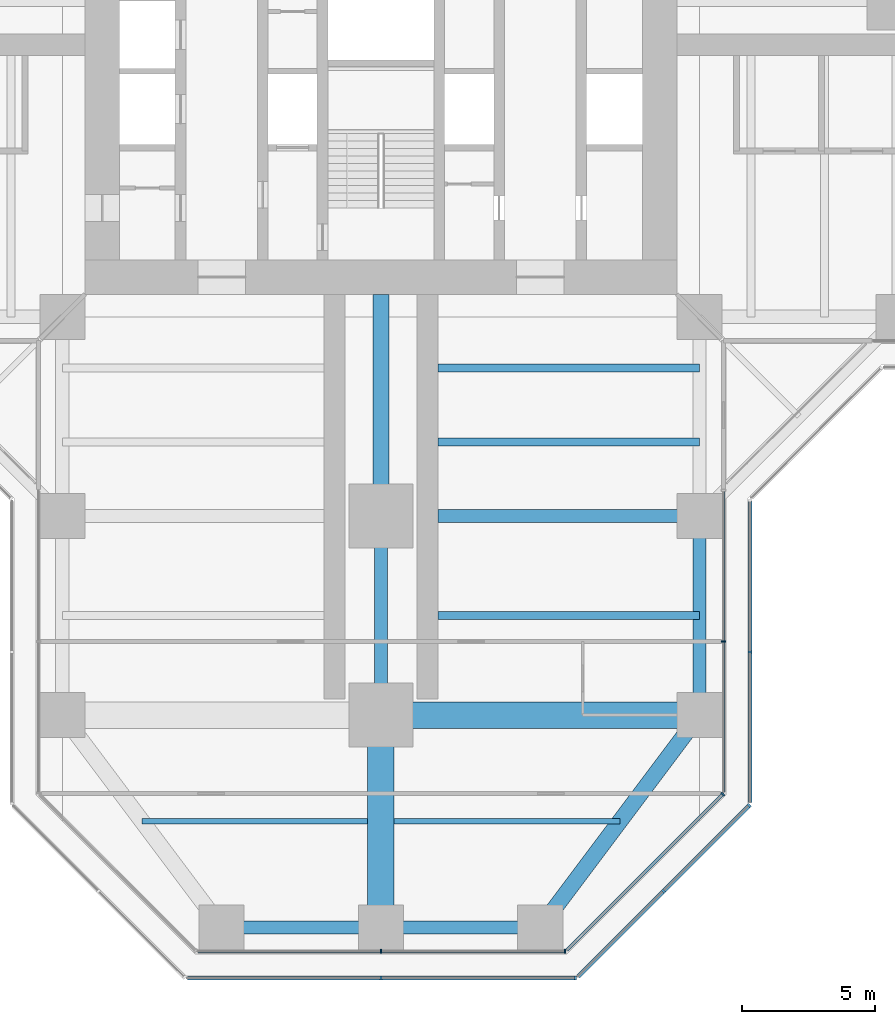
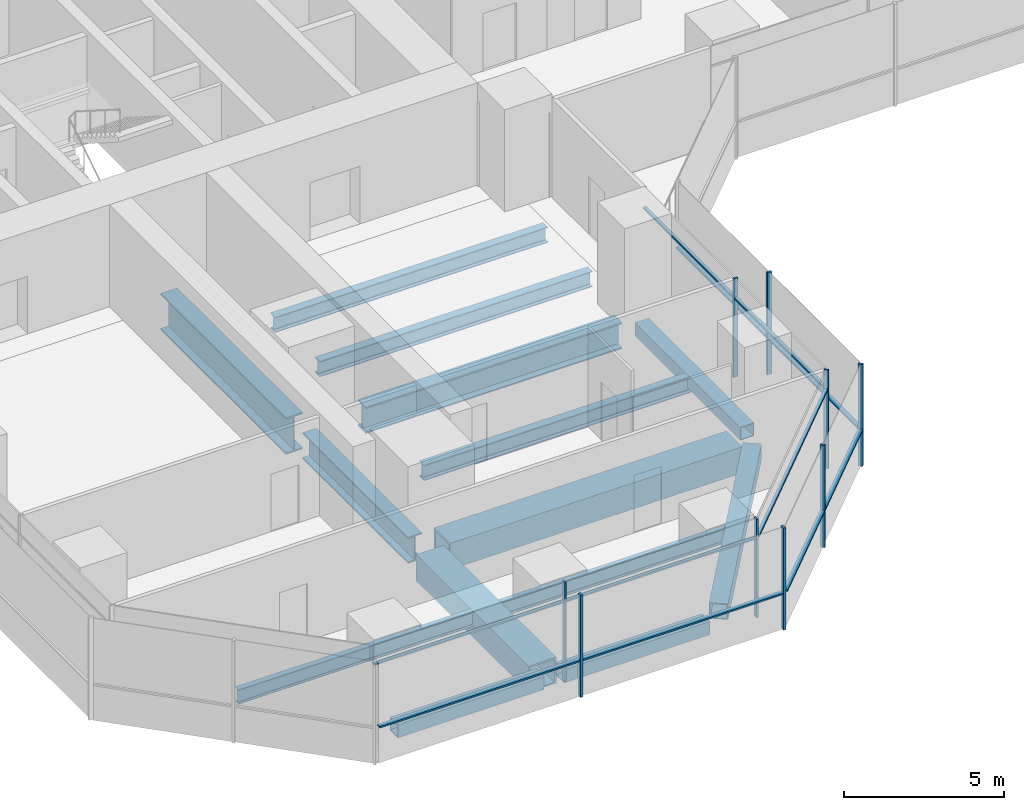
# One storey, part 5 of 22: 20 members, 14 beams, 6 elements without a shape of their own.
"""IFC4 building model written with IfcOpenShell, lengths in metres."""

from ifc_helpers import new_model, si_unit, direction, frame, origin, origin_2d, place, context, subcontext, project, spatial, rectangle, hollow_rectangle, i_section, extrude, material, material_profile, profile_set, type_object, element, aggregate, save


model = new_model("IFC4")

# Units and contexts
model_context = context("Model", 3, precision=1e-05, world=origin(), true_north=direction((0.0, 1.0)))
body_context = subcontext(model_context, "Body", "Model", "MODEL_VIEW")
ifc_project = project(units=[si_unit("LENGTHUNIT", "METRE"), si_unit("AREAUNIT", "SQUARE_METRE"), si_unit("VOLUMEUNIT", "CUBIC_METRE"), si_unit("PLANEANGLEUNIT", "RADIAN"), si_unit("MASSUNIT", "GRAM", prefix="KILO")], contexts=[model_context])

# Site, building, storey
site_placement = place(None, origin())
site = spatial("IfcSite", under=ifc_project, at=site_placement, CompositionType="ELEMENT")
building_placement = place(site_placement, origin())
building = spatial("IfcBuilding", under=site, at=building_placement, Name="Mizan Broadcast Tower", CompositionType="ELEMENT")
storey_placement = place(building_placement, frame((0.0, 0.0, 55.199951171875)))
storey = spatial("IfcBuildingStorey", under=building, at=storey_placement, Name="L10", CompositionType="ELEMENT", Elevation=55.199951171875)

# Beams
ifc_material_1 = material(Name="Steel S355", Category="steel")
ifc_material_profile_1 = material_profile(ifc_material_1, hollow_rectangle(XDim=0.5, YDim=0.5, WallThickness=0.030029296875, at=origin_2d()), Name="BOX 500x500x30")
ifc_profile_set_1 = profile_set([ifc_material_profile_1], Name="Steel S355")
beam_type_1 = type_object("IfcBeamType", Name="EDGE BEAM BOX 500x500x30", PredefinedType="SPANDREL", material=ifc_profile_set_1)
beam_1_placement = place(storey_placement, frame((-5.639892578125, -35.0, -0.3798828125), z_axis=(1.0, 0.0, 0.0), x_axis=(0.0, 1.0, 0.0)))
element("IfcBeam", 1, at=beam_1_placement, inside=storey, type_object=beam_type_1, Name="Edge beam BOX 500x500x30 L10 south arm", PredefinedType="SPANDREL", context=body_context, shape_type="SweptSolid", body=[
    extrude(hollow_rectangle(XDim=0.5, YDim=0.5, WallThickness=0.030029296875, at=origin_2d()), origin(), (0.0, 0.0, 1.0), 5.27978515625),
])
beam_2_placement = place(storey_placement, frame((12.0, -19.949951171875, -0.3798828125), z_axis=(0.0, -1.0, 0.0), x_axis=(1.0, 0.0, 0.0)))
element("IfcBeam", 2, at=beam_2_placement, inside=storey, type_object=beam_type_1, Name="Edge beam BOX 500x500x30 L10 south arm", PredefinedType="SPANDREL", context=body_context, shape_type="SweptSolid", body=[
    extrude(hollow_rectangle(XDim=0.5, YDim=0.5, WallThickness=0.030029296875, at=origin_2d()), origin(), (0.0, 0.0, 1.0), 6.60009765625),
])
beam_3_placement = place(storey_placement, frame((5.639892578125, -35.0, -0.3798828125), z_axis=(-1.0, 0.0, 0.0), x_axis=(0.0, -1.0, 0.0)))
element("IfcBeam", 3, at=beam_3_placement, inside=storey, type_object=beam_type_1, Name="Edge beam BOX 500x500x30 L10 south arm", PredefinedType="SPANDREL", context=body_context, shape_type="SweptSolid", body=[
    extrude(hollow_rectangle(XDim=0.5, YDim=0.5, WallThickness=0.030029296875, at=origin_2d()), origin(), (0.0, 0.0, 1.0), 5.27978515625),
])
ifc_material_2 = material(Name="Steel S355", Category="steel")
ifc_material_profile_2 = material_profile(ifc_material_2, hollow_rectangle(XDim=0.60009765625, YDim=0.60009765625, WallThickness=0.030029296875, at=origin_2d()), Name="BOX 600x600x30")
ifc_profile_set_2 = profile_set([ifc_material_profile_2], Name="Steel S355")
beam_type_2 = type_object("IfcBeamType", Name="EDGE BEAM BOX 600x600x30", PredefinedType="SPANDREL", material=ifc_profile_set_2)
beam_4_placement = place(storey_placement, frame((11.639892578125, -27.47998046875, -0.429931640625), z_axis=(-0.599982243973, -0.800013316712, 0.0), x_axis=(0.800013316712, -0.599982243973, 0.0)))
element("IfcBeam", 4, at=beam_4_placement, inside=storey, type_object=beam_type_2, Name="Edge beam BOX 600x600x30 L10 south arm", PredefinedType="SPANDREL", context=body_context, shape_type="SweptSolid", body=[
    extrude(hollow_rectangle(XDim=0.60009765625, YDim=0.60009765625, WallThickness=0.030029296875, at=origin_2d()), origin(), (0.0, 0.0, 1.0), 8.7998046875),
])
ifc_material_3 = material(Name="Steel S460", Category="steel")
ifc_material_profile_3 = material_profile(ifc_material_3, hollow_rectangle(XDim=1.0, YDim=1.0, WallThickness=0.06005859375, at=origin_2d()), Name="BOX 1000x1000x60")
ifc_profile_set_3 = profile_set([ifc_material_profile_3], Name="Steel S460")
beam_type_3 = type_object("IfcBeamType", Name="GIRDER BOX 1000x1000x60", PredefinedType="BEAM", material=ifc_profile_set_3)
beam_5_placement = place(storey_placement, frame((0.0, -27.47998046875, -0.6298828125), z_axis=(0.0, -1.0, 0.0), x_axis=(1.0, 0.0, 0.0)))
element("IfcBeam", 5, at=beam_5_placement, inside=storey, type_object=beam_type_3, Name="Girder BOX 1000x1000x60 L10 south arm", PredefinedType="BEAM", context=body_context, shape_type="SweptSolid", body=[
    extrude(hollow_rectangle(XDim=1.0, YDim=1.0, WallThickness=0.06005859375, at=origin_2d()), origin(), (0.0, 0.0, 1.0), 7.0400390625),
])
ifc_material_4 = material(Name="Steel S460", Category="steel")
ifc_material_profile_4 = material_profile(ifc_material_4, hollow_rectangle(XDim=1.0, YDim=1.0, WallThickness=0.080078125, at=origin_2d()), Name="BOX 1000x1000x80")
ifc_profile_set_4 = profile_set([ifc_material_profile_4], Name="Steel S460")
beam_type_4 = type_object("IfcBeamType", Name="GIRDER BOX 1000x1000x80", PredefinedType="BEAM", material=ifc_profile_set_4)
beam_6_placement = place(storey_placement, frame((11.280029296875, -27.0, -0.6298828125), z_axis=(-1.0, 0.0, 0.0), x_axis=(0.0, -1.0, 0.0)))
element("IfcBeam", 6, at=beam_6_placement, inside=storey, type_object=beam_type_4, Name="Girder BOX 1000x1000x80 L10 south arm", PredefinedType="BEAM", context=body_context, shape_type="SweptSolid", body=[
    extrude(hollow_rectangle(XDim=1.0, YDim=1.0, WallThickness=0.080078125, at=origin_2d()), origin(), (0.0, 0.0, 1.0), 10.56005859375),
])
ifc_material_5 = material(Name="Steel S460", Category="steel")
ifc_material_profile_5 = material_profile(ifc_material_5, i_section(OverallWidth=0.5, OverallDepth=1.0, WebThickness=0.02490234375, FlangeThickness=0.050048828125, at=origin_2d()), Name="WPG 1000x500")
ifc_profile_set_5 = profile_set([ifc_material_profile_5], Name="Steel S460")
beam_type_5 = type_object("IfcBeamType", Name="GIRDER WPG 1000x500", PredefinedType="BEAM", material=ifc_profile_set_5)
beam_7_placement = place(storey_placement, frame((0.0, -19.949951171875, -0.6298828125), z_axis=(0.0, -1.0, 0.0), x_axis=(1.0, 0.0, 0.0)))
element("IfcBeam", 7, at=beam_7_placement, inside=storey, type_object=beam_type_5, Name="Girder WPG 1000x500 L10 south arm", PredefinedType="BEAM", context=body_context, shape_type="SweptSolid", body=[
    extrude(i_section(OverallWidth=0.5, OverallDepth=1.0, WebThickness=0.02490234375, FlangeThickness=0.050048828125, at=origin_2d()), origin(), (0.0, 0.0, 1.0), 6.60009765625),
])
beam_8_placement = place(storey_placement, frame((11.408935546875, -19.5, -0.6298828125), z_axis=(-1.0, 0.0, 0.0), x_axis=(0.0, -1.0, 0.0)))
element("IfcBeam", 8, at=beam_8_placement, inside=storey, type_object=beam_type_5, Name="Girder WPG 1000x500 L10 south arm", PredefinedType="BEAM", context=body_context, shape_type="SweptSolid", body=[
    extrude(i_section(OverallWidth=0.5, OverallDepth=1.0, WebThickness=0.02490234375, FlangeThickness=0.050048828125, at=origin_2d()), origin(), (0.0, 0.0, 1.0), 9.259033203125),
])
ifc_material_6 = material(Name="Steel S460", Category="steel")
ifc_material_profile_6 = material_profile(ifc_material_6, i_section(OverallWidth=0.60009765625, OverallDepth=1.39990234375, WebThickness=0.02490234375, FlangeThickness=0.06005859375, at=origin_2d()), Name="WPG 1400x600")
ifc_profile_set_6 = profile_set([ifc_material_profile_6], Name="Steel S460")
beam_type_6 = type_object("IfcBeamType", Name="GIRDER WPG 1400x600", PredefinedType="BEAM", material=ifc_profile_set_6)
beam_9_placement = place(storey_placement, frame((0.0, -11.14990234375, -0.829833984375), z_axis=(0.0, -1.0, 0.0), x_axis=(1.0, 0.0, 0.0)))
element("IfcBeam", 9, at=beam_9_placement, inside=storey, type_object=beam_type_6, Name="Girder WPG 1400x600 L10 south arm", PredefinedType="BEAM", context=body_context, shape_type="SweptSolid", body=[
    extrude(i_section(OverallWidth=0.60009765625, OverallDepth=1.39990234375, WebThickness=0.02490234375, FlangeThickness=0.06005859375, at=origin_2d()), origin(), (0.0, 0.0, 1.0), 7.84912109375),
])

# Curtain wall, members
ifc_material_7 = material(Name="Aluminium framed glazing", Category="aluminium")
curtain_wall_type_1 = type_object("IfcCurtainWallType", Name="INNER SKIN LOW ZONE", PredefinedType="USERDEFINED", material=ifc_material_7)
curtain_wall_1_placement = place(storey_placement, origin())
curtain_wall_1 = element("IfcCurtainWall", 10, at=curtain_wall_1_placement, inside=storey, type_object=curtain_wall_type_1, Name="Inner skin low zone L10 S end", ObjectType="INNER SKIN LOW ZONE", PredefinedType="USERDEFINED")
ifc_material_8 = material(Name="Aluminium, pale anodised", Category="aluminium")
ifc_material_profile_7 = material_profile(ifc_material_8, rectangle(XDim=0.159912109375, YDim=0.06005859375, at=origin_2d()), Name="MULLION 160x60")
ifc_profile_set_7 = profile_set([ifc_material_profile_7], Name="Aluminium, pale anodised")
member_type_1 = type_object("IfcMemberType", Name="INNER SKIN MULLION 60x160", PredefinedType="MULLION", material=ifc_profile_set_7)
member_1_placement = place(storey_placement, frame((0.0, -35.89990234375, 0.0), z_axis=(0.0, 0.0, 1.0), x_axis=(0.0, 1.0, 0.0)))
member_1 = element("IfcMember", 11, at=member_1_placement, type_object=member_type_1, Name="Inner skin low zone L10 S end mullion 2", PredefinedType="MULLION", context=body_context, shape_type="SweptSolid", body=[
    extrude(rectangle(XDim=0.159912109375, YDim=0.06005859375, at=origin_2d()), origin(), (0.0, 0.0, 1.0), 3.77001953125),
])
member_2_placement = place(storey_placement, frame((6.928466796875, -35.89990234375, 0.0), z_axis=(0.0, 0.0, 1.0), x_axis=(0.0, 1.0, 0.0)))
member_2 = element("IfcMember", 12, at=member_2_placement, type_object=member_type_1, Name="Inner skin low zone L10 S end mullion 3", PredefinedType="MULLION", context=body_context, shape_type="SweptSolid", body=[
    extrude(rectangle(XDim=0.159912109375, YDim=0.06005859375, at=origin_2d()), origin(), (0.0, 0.0, 1.0), 3.77001953125),
])

# Curtain wall, member
curtain_wall_2_placement = place(storey_placement, origin())
curtain_wall_2 = element("IfcCurtainWall", 13, at=curtain_wall_2_placement, inside=storey, type_object=curtain_wall_type_1, Name="Inner skin low zone L10 S chamfer", ObjectType="INNER SKIN LOW ZONE", PredefinedType="USERDEFINED")
member_3_placement = place(storey_placement, frame((12.87890625, -29.979736328125, 0.0), z_axis=(0.0, 0.0, 1.0), x_axis=(-0.707106781187, 0.707106781187, 0.0)))
member_3 = element("IfcMember", 14, at=member_3_placement, type_object=member_type_1, Name="Inner skin low zone L10 S chamfer mullion 2", PredefinedType="MULLION", context=body_context, shape_type="SweptSolid", body=[
    extrude(rectangle(XDim=0.159912109375, YDim=0.06005859375, at=origin_2d()), origin(), (0.0, 0.0, 1.0), 3.77001953125),
])

curtain_wall_3_placement = place(storey_placement, origin())
curtain_wall_3 = element("IfcCurtainWall", 15, at=curtain_wall_3_placement, inside=storey, type_object=curtain_wall_type_1, Name="Inner skin low zone L10 S side", ObjectType="INNER SKIN LOW ZONE", PredefinedType="USERDEFINED")
member_4_placement = place(storey_placement, frame((12.89990234375, -24.229248046875, 0.0), z_axis=(0.0, 0.0, 1.0), x_axis=(-1.0, 0.0, 0.0)))
member_4 = element("IfcMember", 16, at=member_4_placement, type_object=member_type_1, Name="Inner skin low zone L10 S side mullion 2", PredefinedType="MULLION", context=body_context, shape_type="SweptSolid", body=[
    extrude(rectangle(XDim=0.159912109375, YDim=0.06005859375, at=origin_2d()), origin(), (0.0, 0.0, 1.0), 3.77001953125),
])

# Member
ifc_material_9 = material(Name="Aluminium, pale anodised", Category="aluminium")
ifc_material_profile_8 = material_profile(ifc_material_9, rectangle(XDim=0.1201171875, YDim=0.06005859375, at=origin_2d()), Name="TRANSOM 120x60")
ifc_profile_set_8 = profile_set([ifc_material_profile_8], Name="Aluminium, pale anodised")
member_type_2 = type_object("IfcMemberType", Name="INNER SKIN TRANSOM 60x120", PredefinedType="USERDEFINED", material=ifc_profile_set_8)
member_5_placement = place(storey_placement, frame((-6.898681640625, -35.89990234375, 3.030029296875), z_axis=(1.0, 0.0, 0.0), x_axis=(0.0, 1.0, 0.0)))
member_5 = element("IfcMember", 17, at=member_5_placement, type_object=member_type_2, Name="Inner skin low zone L10 S end transom 1.1", ObjectType="TRANSOM", PredefinedType="USERDEFINED", context=body_context, shape_type="SweptSolid", body=[
    extrude(rectangle(XDim=0.1201171875, YDim=0.06005859375, at=origin_2d()), origin(), (0.0, 0.0, 1.0), 6.86865234375),
])

member_6_placement = place(storey_placement, frame((0.030029296875, -35.89990234375, 3.030029296875), z_axis=(1.0, 0.0, 0.0), x_axis=(0.0, 1.0, 0.0)))
member_6 = element("IfcMember", 18, at=member_6_placement, type_object=member_type_2, Name="Inner skin low zone L10 S end transom 2.1", ObjectType="TRANSOM", PredefinedType="USERDEFINED", context=body_context, shape_type="SweptSolid", body=[
    extrude(rectangle(XDim=0.1201171875, YDim=0.06005859375, at=origin_2d()), origin(), (0.0, 0.0, 1.0), 6.86865234375),
])

aggregate(curtain_wall_1, [member_1, member_2, member_5, member_6])

member_7_placement = place(storey_placement, frame((7.0009765625, -35.857666015625, 3.030029296875), z_axis=(0.707106781187, 0.707106781187, 0.0), x_axis=(-0.707106781187, 0.707106781187, 0.0)))
member_7 = element("IfcMember", 19, at=member_7_placement, type_object=member_type_2, Name="Inner skin low zone L10 S chamfer transom 1.1", ObjectType="TRANSOM", PredefinedType="USERDEFINED", context=body_context, shape_type="SweptSolid", body=[
    extrude(rectangle(XDim=0.1201171875, YDim=0.06005859375, at=origin_2d()), origin(), (0.0, 0.0, 1.0), 8.28271484375),
])

aggregate(curtain_wall_2, [member_3, member_7])

member_8_placement = place(storey_placement, frame((12.89990234375, -29.898681640625, 3.030029296875), z_axis=(0.0, 1.0, 0.0), x_axis=(-1.0, 0.0, 0.0)))
member_8 = element("IfcMember", 20, at=member_8_placement, type_object=member_type_2, Name="Inner skin low zone L10 S side transom 1.1", ObjectType="TRANSOM", PredefinedType="USERDEFINED", context=body_context, shape_type="SweptSolid", body=[
    extrude(rectangle(XDim=0.1201171875, YDim=0.06005859375, at=origin_2d()), origin(), (0.0, 0.0, 1.0), 5.639404296875),
])

member_9_placement = place(storey_placement, frame((12.89990234375, -24.19921875, 3.030029296875), z_axis=(0.0, 1.0, 0.0), x_axis=(-1.0, 0.0, 0.0)))
member_9 = element("IfcMember", 21, at=member_9_placement, type_object=member_type_2, Name="Inner skin low zone L10 S side transom 2.1", ObjectType="TRANSOM", PredefinedType="USERDEFINED", context=body_context, shape_type="SweptSolid", body=[
    extrude(rectangle(XDim=0.1201171875, YDim=0.06005859375, at=origin_2d()), origin(), (0.0, 0.0, 1.0), 5.63916015625),
])

aggregate(curtain_wall_3, [member_4, member_8, member_9])

# Curtain wall, members
ifc_material_10 = material(Name="Aluminium framed glazing", Category="aluminium")
curtain_wall_type_2 = type_object("IfcCurtainWallType", Name="OUTER SKIN", PredefinedType="USERDEFINED", material=ifc_material_10)
curtain_wall_4_placement = place(storey_placement, origin())
curtain_wall_4 = element("IfcCurtainWall", 22, at=curtain_wall_4_placement, inside=storey, type_object=curtain_wall_type_2, Name="Outer skin L10 S end", ObjectType="OUTER SKIN", PredefinedType="USERDEFINED")
ifc_material_11 = material(Name="Aluminium, pale anodised", Category="aluminium")
ifc_material_profile_9 = material_profile(ifc_material_11, rectangle(XDim=0.159912109375, YDim=0.080078125, at=origin_2d()), Name="MULLION 160x80")
ifc_profile_set_9 = profile_set([ifc_material_profile_9], Name="Aluminium, pale anodised")
member_type_3 = type_object("IfcMemberType", Name="OUTER SKIN MULLION 80x160", PredefinedType="MULLION", material=ifc_profile_set_9)
member_10_placement = place(storey_placement, frame((0.0, -36.89990234375, 0.0), z_axis=(0.0, 0.0, 1.0), x_axis=(0.0, 1.0, 0.0)))
member_10 = element("IfcMember", 23, at=member_10_placement, type_object=member_type_3, Name="Outer skin L10 S end mullion 2", PredefinedType="MULLION", context=body_context, shape_type="SweptSolid", body=[
    extrude(rectangle(XDim=0.159912109375, YDim=0.080078125, at=origin_2d()), origin(), (0.0, 0.0, 1.0), 3.900146484375),
])
member_11_placement = place(storey_placement, frame((7.332763671875, -36.89990234375, 0.0), z_axis=(0.0, 0.0, 1.0), x_axis=(0.0, 1.0, 0.0)))
member_11 = element("IfcMember", 24, at=member_11_placement, type_object=member_type_3, Name="Outer skin L10 S end mullion 3", PredefinedType="MULLION", context=body_context, shape_type="SweptSolid", body=[
    extrude(rectangle(XDim=0.159912109375, YDim=0.080078125, at=origin_2d()), origin(), (0.0, 0.0, 1.0), 3.900146484375),
])

curtain_wall_5_placement = place(storey_placement, origin())
curtain_wall_5 = element("IfcCurtainWall", 25, at=curtain_wall_5_placement, inside=storey, type_object=curtain_wall_type_2, Name="Outer skin L10 S chamfer", ObjectType="OUTER SKIN", PredefinedType="USERDEFINED")
member_12_placement = place(storey_placement, frame((10.636474609375, -33.636474609375, 0.0), z_axis=(0.0, 0.0, 1.0), x_axis=(-0.707106781187, 0.707106781187, 0.0)))
member_12 = element("IfcMember", 26, at=member_12_placement, type_object=member_type_3, Name="Outer skin L10 S chamfer mullion 2", PredefinedType="MULLION", context=body_context, shape_type="SweptSolid", body=[
    extrude(rectangle(XDim=0.159912109375, YDim=0.080078125, at=origin_2d()), origin(), (0.0, 0.0, 1.0), 3.900146484375),
])
member_13_placement = place(storey_placement, frame((13.871826171875, -30.401123046875, 0.0), z_axis=(0.0, 0.0, 1.0), x_axis=(-0.707106781187, 0.707106781187, 0.0)))
member_13 = element("IfcMember", 27, at=member_13_placement, type_object=member_type_3, Name="Outer skin L10 S chamfer mullion 3", PredefinedType="MULLION", context=body_context, shape_type="SweptSolid", body=[
    extrude(rectangle(XDim=0.159912109375, YDim=0.080078125, at=origin_2d()), origin(), (0.0, 0.0, 1.0), 3.900146484375),
])

# Curtain wall, member
curtain_wall_6_placement = place(storey_placement, origin())
curtain_wall_6 = element("IfcCurtainWall", 28, at=curtain_wall_6_placement, inside=storey, type_object=curtain_wall_type_2, Name="Outer skin L10 S side", ObjectType="OUTER SKIN", PredefinedType="USERDEFINED")
member_14_placement = place(storey_placement, frame((13.89990234375, -24.622802734375, 0.0), z_axis=(0.0, 0.0, 1.0), x_axis=(-1.0, 0.0, 0.0)))
member_14 = element("IfcMember", 29, at=member_14_placement, type_object=member_type_3, Name="Outer skin L10 S side mullion 2", PredefinedType="MULLION", context=body_context, shape_type="SweptSolid", body=[
    extrude(rectangle(XDim=0.159912109375, YDim=0.080078125, at=origin_2d()), origin(), (0.0, 0.0, 1.0), 3.900146484375),
])

# Member
ifc_material_12 = material(Name="Aluminium, pale anodised", Category="aluminium")
ifc_material_profile_10 = material_profile(ifc_material_12, rectangle(XDim=0.159912109375, YDim=0.06005859375, at=origin_2d()), Name="TRANSOM 160x60")
ifc_profile_set_10 = profile_set([ifc_material_profile_10], Name="Aluminium, pale anodised")
member_type_4 = type_object("IfcMemberType", Name="OUTER SKIN TRANSOM 60x160", PredefinedType="USERDEFINED", material=ifc_profile_set_10)
member_15_placement = place(storey_placement, frame((-7.292724609375, -36.89990234375, 1.400146484375), z_axis=(1.0, 0.0, 0.0), x_axis=(0.0, 1.0, 0.0)))
member_15 = element("IfcMember", 30, at=member_15_placement, type_object=member_type_4, Name="Outer skin L10 S end transom 1.1", ObjectType="TRANSOM", PredefinedType="USERDEFINED", context=body_context, shape_type="SweptSolid", body=[
    extrude(rectangle(XDim=0.159912109375, YDim=0.06005859375, at=origin_2d()), origin(), (0.0, 0.0, 1.0), 7.252685546875),
])

member_16_placement = place(storey_placement, frame((0.0400390625, -36.89990234375, 1.400146484375), z_axis=(1.0, 0.0, 0.0), x_axis=(0.0, 1.0, 0.0)))
member_16 = element("IfcMember", 31, at=member_16_placement, type_object=member_type_4, Name="Outer skin L10 S end transom 2.1", ObjectType="TRANSOM", PredefinedType="USERDEFINED", context=body_context, shape_type="SweptSolid", body=[
    extrude(rectangle(XDim=0.159912109375, YDim=0.06005859375, at=origin_2d()), origin(), (0.0, 0.0, 1.0), 7.252685546875),
])

aggregate(curtain_wall_4, [member_10, member_11, member_15, member_16])

member_17_placement = place(storey_placement, frame((7.429443359375, -36.843505859375, 1.400146484375), z_axis=(0.707106781187, 0.707106781187, 0.0), x_axis=(-0.707106781187, 0.707106781187, 0.0)))
member_17 = element("IfcMember", 32, at=member_17_placement, type_object=member_type_4, Name="Outer skin L10 S chamfer transom 1.1", ObjectType="TRANSOM", PredefinedType="USERDEFINED", context=body_context, shape_type="SweptSolid", body=[
    extrude(rectangle(XDim=0.159912109375, YDim=0.06005859375, at=origin_2d()), origin(), (0.0, 0.0, 1.0), 4.495361328125),
])

member_18_placement = place(storey_placement, frame((10.664794921875, -33.608154296875, 1.400146484375), z_axis=(0.707106781187, 0.707106781187, 0.0), x_axis=(-0.707106781187, 0.707106781187, 0.0)))
member_18 = element("IfcMember", 33, at=member_18_placement, type_object=member_type_4, Name="Outer skin L10 S chamfer transom 2.1", ObjectType="TRANSOM", PredefinedType="USERDEFINED", context=body_context, shape_type="SweptSolid", body=[
    extrude(rectangle(XDim=0.159912109375, YDim=0.06005859375, at=origin_2d()), origin(), (0.0, 0.0, 1.0), 4.495361328125),
])

aggregate(curtain_wall_5, [member_12, member_13, member_17, member_18])

member_19_placement = place(storey_placement, frame((13.89990234375, -30.292724609375, 1.400146484375), z_axis=(0.0, 1.0, 0.0), x_axis=(-1.0, 0.0, 0.0)))
member_19 = element("IfcMember", 34, at=member_19_placement, type_object=member_type_4, Name="Outer skin L10 S side transom 1.1", ObjectType="TRANSOM", PredefinedType="USERDEFINED", context=body_context, shape_type="SweptSolid", body=[
    extrude(rectangle(XDim=0.159912109375, YDim=0.06005859375, at=origin_2d()), origin(), (0.0, 0.0, 1.0), 5.6298828125),
])

member_20_placement = place(storey_placement, frame((13.89990234375, -24.582763671875, 1.400146484375), z_axis=(0.0, 1.0, 0.0), x_axis=(-1.0, 0.0, 0.0)))
member_20 = element("IfcMember", 35, at=member_20_placement, type_object=member_type_4, Name="Outer skin L10 S side transom 2.1", ObjectType="TRANSOM", PredefinedType="USERDEFINED", context=body_context, shape_type="SweptSolid", body=[
    extrude(rectangle(XDim=0.159912109375, YDim=0.06005859375, at=origin_2d()), origin(), (0.0, 0.0, 1.0), 5.6298828125),
])

aggregate(curtain_wall_6, [member_14, member_19, member_20])

# Beams
ifc_material_13 = material(Name="Steel S355", Category="steel")
ifc_material_profile_11 = material_profile(ifc_material_13, i_section(OverallWidth=0.300048828125, OverallDepth=0.590087890625, WebThickness=0.012939453125, FlangeThickness=0.02490234375, FilletRadius=0.027099609375, at=origin_2d()), Name="HEA 600")
ifc_profile_set_11 = profile_set([ifc_material_profile_11], Name="Steel S355")
beam_type_7 = type_object("IfcBeamType", Name="SECONDARY BEAM HEA 600", PredefinedType="JOIST", material=ifc_profile_set_11)
for number, where, z_axis, x_axis, name in (
    (36, (12.0, -13.933349609375, -0.425048828125), (-1.0, 0.0, 0.0), (0.0, -1.0, 0.0), "Secondary beam HEA 600 L10 south arm"),
    (37, (12.0, -16.716552734375, -0.425048828125), (-1.0, 0.0, 0.0), (0.0, -1.0, 0.0), "Secondary beam HEA 600 L10 south arm"),
    (38, (12.0, -23.25, -0.425048828125), (-1.0, 0.0, 0.0), (0.0, -1.0, 0.0), "Secondary beam HEA 600 L10 south arm"),
):
    element("IfcBeam", number, at=place(storey_placement, frame(where, z_axis=z_axis, x_axis=x_axis)), inside=storey, type_object=beam_type_7, Name=name, PredefinedType="JOIST", context=body_context, shape_type="SweptSolid", body=[
        extrude(i_section(OverallWidth=0.300048828125, OverallDepth=0.590087890625, WebThickness=0.012939453125, FlangeThickness=0.02490234375, FilletRadius=0.027099609375, at=origin_2d()), origin(), (0.0, 0.0, 1.0), 9.85009765625),
    ])
ifc_material_14 = material(Name="Steel S355", Category="steel")
ifc_material_profile_12 = material_profile(ifc_material_14, i_section(OverallWidth=0.2099609375, OverallDepth=0.550048828125, WebThickness=0.010986328125, FlangeThickness=0.01708984375, FilletRadius=0.02392578125, at=origin_2d()), Name="IPE 550")
ifc_profile_set_12 = profile_set([ifc_material_profile_12], Name="Steel S355")
beam_type_8 = type_object("IfcBeamType", Name="SECONDARY BEAM IPE 550", PredefinedType="JOIST", material=ifc_profile_set_12)
for number, where, z_axis, x_axis, name in (
    (39, (-9.0, -31.0, -0.405029296875), (1.0, 0.0, 0.0), (0.0, 1.0, 0.0), "Secondary beam IPE 550 L10 south arm"),
    (40, (9.0, -31.0, -0.405029296875), (-1.0, 0.0, 0.0), (0.0, -1.0, 0.0), "Secondary beam IPE 550 L10 south arm"),
):
    element("IfcBeam", number, at=place(storey_placement, frame(where, z_axis=z_axis, x_axis=x_axis)), inside=storey, type_object=beam_type_8, Name=name, PredefinedType="JOIST", context=body_context, shape_type="SweptSolid", body=[
        extrude(i_section(OverallWidth=0.2099609375, OverallDepth=0.550048828125, WebThickness=0.010986328125, FlangeThickness=0.01708984375, FilletRadius=0.02392578125, at=origin_2d()), origin(), (0.0, 0.0, 1.0), 8.5),
    ])

save(model, "model.ifc")
